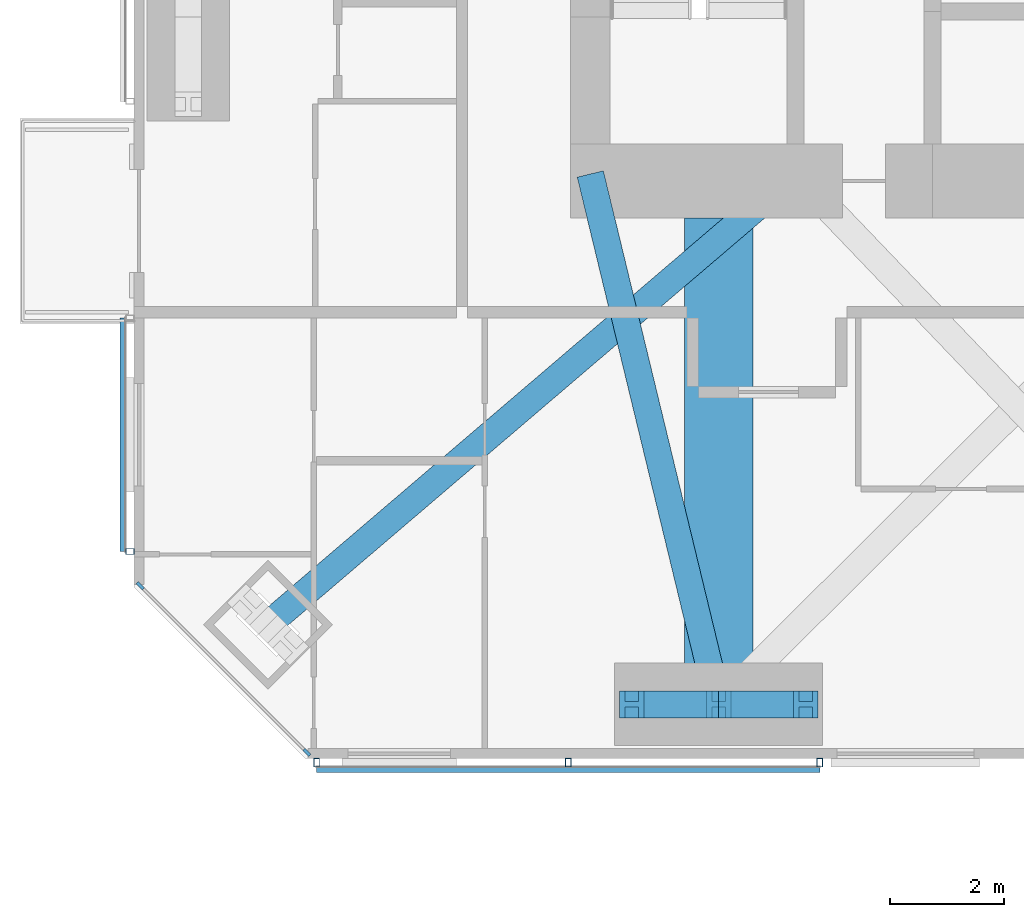
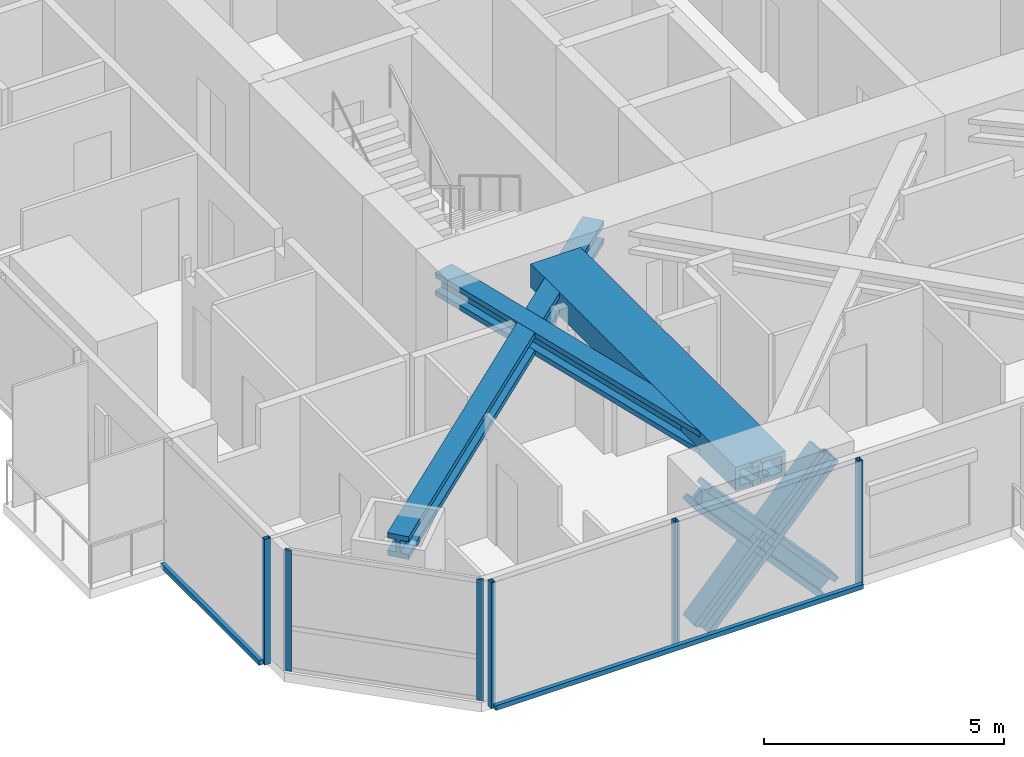
# One storey, part 2 of 22: 14 members, 1 beam, 3 elements without a shape of their own.
"""IFC4 building model written with IfcOpenShell, lengths in metres."""

from ifc_helpers import new_model, si_unit, direction, frame, origin, origin_2d, place, context, subcontext, project, spatial, rectangle, hollow_rectangle, i_section, extrude, material, material_profile, profile_set, type_object, element, aggregate, save


model = new_model("IFC4")

# Units and contexts
model_context = context("Model", 3, precision=1e-05, world=origin(), true_north=direction((0.0, 1.0)))
body_context = subcontext(model_context, "Body", "Model", "MODEL_VIEW")
ifc_project = project(units=[si_unit("LENGTHUNIT", "METRE"), si_unit("AREAUNIT", "SQUARE_METRE"), si_unit("VOLUMEUNIT", "CUBIC_METRE"), si_unit("PLANEANGLEUNIT", "RADIAN"), si_unit("MASSUNIT", "GRAM", prefix="KILO")], contexts=[model_context])

# Site, building, storey
site_placement = place(None, origin())
site = spatial("IfcSite", under=ifc_project, at=site_placement, CompositionType="ELEMENT")
building_placement = place(site_placement, origin())
building = spatial("IfcBuilding", under=site, at=building_placement, Name="Jalousie Tower", CompositionType="ELEMENT")
storey_placement = place(building_placement, frame((0.0, 0.0, 204.60009765625)))
storey = spatial("IfcBuildingStorey", under=building, at=storey_placement, Name="L56", CompositionType="ELEMENT", Elevation=204.60009765625)

# Curtain wall, members
ifc_material_1 = material(Name="Aluminium curtain wall", Category="aluminium")
curtain_wall_type_1 = type_object("IfcCurtainWallType", Name="CORNER WINDOW WALL", PredefinedType="USERDEFINED", material=ifc_material_1)
curtain_wall_1_placement = place(storey_placement, origin())
curtain_wall_1 = element("IfcCurtainWall", 1, at=curtain_wall_1_placement, inside=storey, type_object=curtain_wall_type_1, Name="Corner Window Wall L56 8", ObjectType="CORNER WINDOW WALL", PredefinedType="USERDEFINED")
ifc_material_2 = material(Name="Aluminium mullion", Category="aluminium")
ifc_material_profile_1 = material_profile(ifc_material_2, rectangle(XDim=0.06005859375, YDim=0.14990234375, at=origin_2d()), Name="MULLION 60x150")
ifc_profile_set_1 = profile_set([ifc_material_profile_1], Name="Aluminium mullion")
member_type_1 = type_object("IfcMemberType", Name="CORNER WINDOW WALL MULLION", PredefinedType="MULLION", material=ifc_profile_set_1)
member_1_placement = place(storey_placement, frame((12.108642578125, 3.030029296875, 0.0), z_axis=(0.0, 0.0, 1.0), x_axis=(0.707106781187, 0.707106781187, 0.0)))
member_1 = element("IfcMember", 2, at=member_1_placement, type_object=member_type_1, Name="CW-C mullion 1", PredefinedType="MULLION", context=body_context, shape_type="SweptSolid", body=[
    extrude(rectangle(XDim=0.06005859375, YDim=0.14990234375, at=origin_2d()), origin(), (0.0, 0.0, 1.0), 3.06982421875),
])
member_2_placement = place(storey_placement, frame((15.030029296875, 0.108642578125, 0.0), z_axis=(0.0, 0.0, 1.0), x_axis=(0.707106781187, 0.707106781187, 0.0)))
member_2 = element("IfcMember", 3, at=member_2_placement, type_object=member_type_1, Name="CW-C mullion 2", PredefinedType="MULLION", context=body_context, shape_type="SweptSolid", body=[
    extrude(rectangle(XDim=0.06005859375, YDim=0.14990234375, at=origin_2d()), origin(), (0.0, 0.0, 1.0), 3.06982421875),
])
aggregate(curtain_wall_1, [member_1, member_2])

# Members
ifc_material_3 = material(Name="Steel ASTM A992 Grade 50", Category="steel")
ifc_material_profile_2 = material_profile(ifc_material_3, i_section(OverallWidth=0.472412109375, OverallDepth=0.5791015625, WebThickness=0.094970703125, FlangeThickness=0.1298828125, at=origin_2d()), Name="W14X808")
ifc_profile_set_2 = profile_set([ifc_material_profile_2], Name="Steel ASTM A992 Grade 50")
member_type_2 = type_object("IfcMemberType", Name="KINK FLOOR TRUSS DIAGONAL W14X808", PredefinedType="BRACE", material=ifc_profile_set_2)
member_3_placement = place(storey_placement, frame((14.348388671875, 2.348388671875, 2.7802734375), z_axis=(0.760409806303, 0.649443551418, 0.0), x_axis=(-0.649443551418, 0.760409806303, 0.0)))
element("IfcMember", 4, at=member_3_placement, inside=storey, type_object=member_type_2, Name="Kink floor truss L57 01 diagonal", PredefinedType="BRACE", context=body_context, shape_type="SweptSolid", body=[
    extrude(i_section(OverallWidth=0.472412109375, OverallDepth=0.5791015625, WebThickness=0.094970703125, FlangeThickness=0.1298828125, at=origin_2d()), origin(), (0.0, 0.0, 1.0), 12.166748046875),
])
member_4_placement = place(storey_placement, frame((22.25, 0.949951171875, 2.7802734375), z_axis=(-0.235150149953, 0.971959056225, 0.0), x_axis=(-0.971959056225, -0.235150149953, 0.0)))
element("IfcMember", 5, at=member_4_placement, inside=storey, type_object=member_type_2, Name="Kink floor truss L57 02 diagonal", PredefinedType="BRACE", context=body_context, shape_type="SweptSolid", body=[
    extrude(i_section(OverallWidth=0.472412109375, OverallDepth=0.5791015625, WebThickness=0.094970703125, FlangeThickness=0.1298828125, at=origin_2d()), origin(), (0.0, 0.0, 1.0), 9.568359375),
])

# Beam
ifc_material_4 = material(Name="Steel ASTM A572 Grade 50 plate", Category="steel")
ifc_material_profile_3 = material_profile(ifc_material_4, hollow_rectangle(XDim=1.199951171875, YDim=0.60009765625, WallThickness=0.10009765625, at=origin_2d()), Name="BOX 600x1200x100")
ifc_profile_set_3 = profile_set([ifc_material_profile_3], Name="Steel ASTM A572 Grade 50 plate")
beam_type = type_object("IfcBeamType", Name="KINK TIE BOX 600x1200x100", PredefinedType="BEAM", material=ifc_profile_set_3)
beam_placement = place(storey_placement, frame((22.25, 0.949951171875, 2.77001953125), z_axis=(0.0, 1.0, 0.0), x_axis=(-1.0, 0.0, 0.0)))
element("IfcBeam", 6, at=beam_placement, inside=storey, type_object=beam_type, Name="Kink tie under L57", PredefinedType="BEAM", context=body_context, shape_type="SweptSolid", body=[
    extrude(hollow_rectangle(XDim=1.199951171875, YDim=0.60009765625, WallThickness=0.10009765625, at=origin_2d()), origin(), (0.0, 0.0, 1.0), 8.525146484375),
])

# Members
ifc_material_5 = material(Name="Steel ASTM A992 Grade 50", Category="steel")
ifc_material_profile_4 = material_profile(ifc_material_5, i_section(OverallWidth=0.472412109375, OverallDepth=0.5791015625, WebThickness=0.094970703125, FlangeThickness=0.1298828125, at=origin_2d()), Name="W14X808")
ifc_profile_set_4 = profile_set([ifc_material_profile_4], Name="Steel ASTM A992 Grade 50")
member_type_3 = type_object("IfcMemberType", Name="PERIMETER BRACE W14X808", PredefinedType="BRACE", material=ifc_profile_set_4)
for number, where, z_axis, x_axis, name in (
    (7, (20.72509765625, 0.949951171875, -0.60009765625), (0.673187629365, 0.0, 0.739471713908), (0.0, 1.0, 0.0), "Perimeter brace 02 L56 part 1"),
    (8, (22.25, 0.949951171875, 1.074951171875), (0.673187629365, 0.0, 0.739471713908), (0.0, 1.0, 0.0), "Perimeter brace 02 L56 part 2"),
    (9, (23.77490234375, 0.949951171875, -0.60009765625), (-0.673187629365, 0.0, 0.739471713908), (0.0, -1.0, 0.0), "Perimeter brace 02 L56 part 3"),
    (10, (22.25, 0.949951171875, 1.074951171875), (-0.673187629365, 0.0, 0.739471713908), (0.0, -1.0, 0.0), "Perimeter brace 02 L56 part 4"),
):
    element("IfcMember", number, at=place(storey_placement, frame(where, z_axis=z_axis, x_axis=x_axis)), inside=storey, type_object=member_type_3, Name=name, PredefinedType="BRACE", context=body_context, shape_type="SweptSolid", body=[
        extrude(i_section(OverallWidth=0.472412109375, OverallDepth=0.5791015625, WebThickness=0.094970703125, FlangeThickness=0.1298828125, at=origin_2d()), origin(), (0.0, 0.0, 1.0), 2.26513671875),
    ])

# Curtain wall, members
ifc_material_6 = material(Name="Perforated aluminium sheet", Category="aluminium")
curtain_wall_type_2 = type_object("IfcCurtainWallType", Name="SOLAR SCREEN SS-1", PredefinedType="USERDEFINED", material=ifc_material_6)
curtain_wall_2_placement = place(storey_placement, origin())
curtain_wall_2 = element("IfcCurtainWall", 11, at=curtain_wall_2_placement, inside=storey, type_object=curtain_wall_type_2, Name="Solar screen L56", ObjectType="SOLAR SCREEN SS-1", PredefinedType="USERDEFINED")
ifc_material_7 = material(Name="Steel ASTM A500 Grade C", Category="steel")
ifc_material_profile_5 = material_profile(ifc_material_7, hollow_rectangle(XDim=0.1015625, YDim=0.15234375, WallThickness=0.00634765625, at=origin_2d()), Name="HSS6X4X1/4")
ifc_profile_set_5 = profile_set([ifc_material_profile_5], Name="Steel ASTM A500 Grade C")
member_type_4 = type_object("IfcMemberType", Name="SOLAR SCREEN SS-1 MULLION", PredefinedType="MULLION", material=ifc_profile_set_5)
member_5_placement = place(storey_placement, frame((15.199951171875, -0.0712890625, -0.1201171875), z_axis=(0.0, 0.0, 1.0), x_axis=(1.0, 0.0, 0.0)))
member_5 = element("IfcMember", 12, at=member_5_placement, type_object=member_type_4, Name="SS1 post 1", PredefinedType="MULLION", context=body_context, shape_type="SweptSolid", body=[
    extrude(hollow_rectangle(XDim=0.1015625, YDim=0.15234375, WallThickness=0.00634765625, at=origin_2d()), origin(), (0.0, 0.0, 1.0), 3.18994140625),
])
member_6_placement = place(storey_placement, frame((19.612548828125, -0.0712890625, -0.1201171875), z_axis=(0.0, 0.0, 1.0), x_axis=(1.0, 0.0, 0.0)))
member_6 = element("IfcMember", 13, at=member_6_placement, type_object=member_type_4, Name="SS1 post 2", PredefinedType="MULLION", context=body_context, shape_type="SweptSolid", body=[
    extrude(hollow_rectangle(XDim=0.1015625, YDim=0.15234375, WallThickness=0.00634765625, at=origin_2d()), origin(), (0.0, 0.0, 1.0), 3.18994140625),
])
member_7_placement = place(storey_placement, frame((24.02490234375, -0.0712890625, -0.1201171875), z_axis=(0.0, 0.0, 1.0), x_axis=(1.0, 0.0, 0.0)))
member_7 = element("IfcMember", 14, at=member_7_placement, type_object=member_type_4, Name="SS1 post 3", PredefinedType="MULLION", context=body_context, shape_type="SweptSolid", body=[
    extrude(hollow_rectangle(XDim=0.1015625, YDim=0.15234375, WallThickness=0.00634765625, at=origin_2d()), origin(), (0.0, 0.0, 1.0), 3.18994140625),
])

# Curtain wall, member
curtain_wall_3_placement = place(storey_placement, origin())
curtain_wall_3 = element("IfcCurtainWall", 15, at=curtain_wall_3_placement, inside=storey, type_object=curtain_wall_type_2, Name="Solar screen L56", ObjectType="SOLAR SCREEN SS-1", PredefinedType="USERDEFINED")
member_8_placement = place(storey_placement, frame((11.9287109375, 3.6298828125, -0.1201171875), z_axis=(0.0, 0.0, 1.0), x_axis=(0.0, -1.0, 0.0)))
member_8 = element("IfcMember", 16, at=member_8_placement, type_object=member_type_4, Name="SS1 post 2", PredefinedType="MULLION", context=body_context, shape_type="SweptSolid", body=[
    extrude(hollow_rectangle(XDim=0.1015625, YDim=0.15234375, WallThickness=0.00634765625, at=origin_2d()), origin(), (0.0, 0.0, 1.0), 3.18994140625),
])

# Member
ifc_material_8 = material(Name="Extruded aluminium screen rail", Category="aluminium")
ifc_material_profile_6 = material_profile(ifc_material_8, rectangle(XDim=0.1015625, YDim=0.1201171875, at=origin_2d()), Name="RAIL 102x120")
ifc_profile_set_6 = profile_set([ifc_material_profile_6], Name="Extruded aluminium screen rail")
member_type_5 = type_object("IfcMemberType", Name="SOLAR SCREEN SS-1 TRANSOM", PredefinedType="USERDEFINED", material=ifc_profile_set_6)
member_9_placement = place(storey_placement, frame((15.199951171875, -0.1982421875, -0.06005859375), z_axis=(1.0, 0.0, 0.0), x_axis=(0.0, 1.0, 0.0)))
member_9 = element("IfcMember", 17, at=member_9_placement, type_object=member_type_5, Name="SS1 rail", ObjectType="TRANSOM", PredefinedType="USERDEFINED", context=body_context, shape_type="SweptSolid", body=[
    extrude(rectangle(XDim=0.1015625, YDim=0.1201171875, at=origin_2d()), origin(), (0.0, 0.0, 1.0), 8.824951171875),
])

aggregate(curtain_wall_2, [member_5, member_6, member_7, member_9])

member_10_placement = place(storey_placement, frame((11.8017578125, 7.72509765625, -0.06005859375), z_axis=(0.0, -1.0, 0.0), x_axis=(1.0, 0.0, 0.0)))
member_10 = element("IfcMember", 18, at=member_10_placement, type_object=member_type_5, Name="SS1 rail", ObjectType="TRANSOM", PredefinedType="USERDEFINED", context=body_context, shape_type="SweptSolid", body=[
    extrude(rectangle(XDim=0.1015625, YDim=0.1201171875, at=origin_2d()), origin(), (0.0, 0.0, 1.0), 4.09521484375),
])

aggregate(curtain_wall_3, [member_8, member_10])

save(model, "model.ifc")
